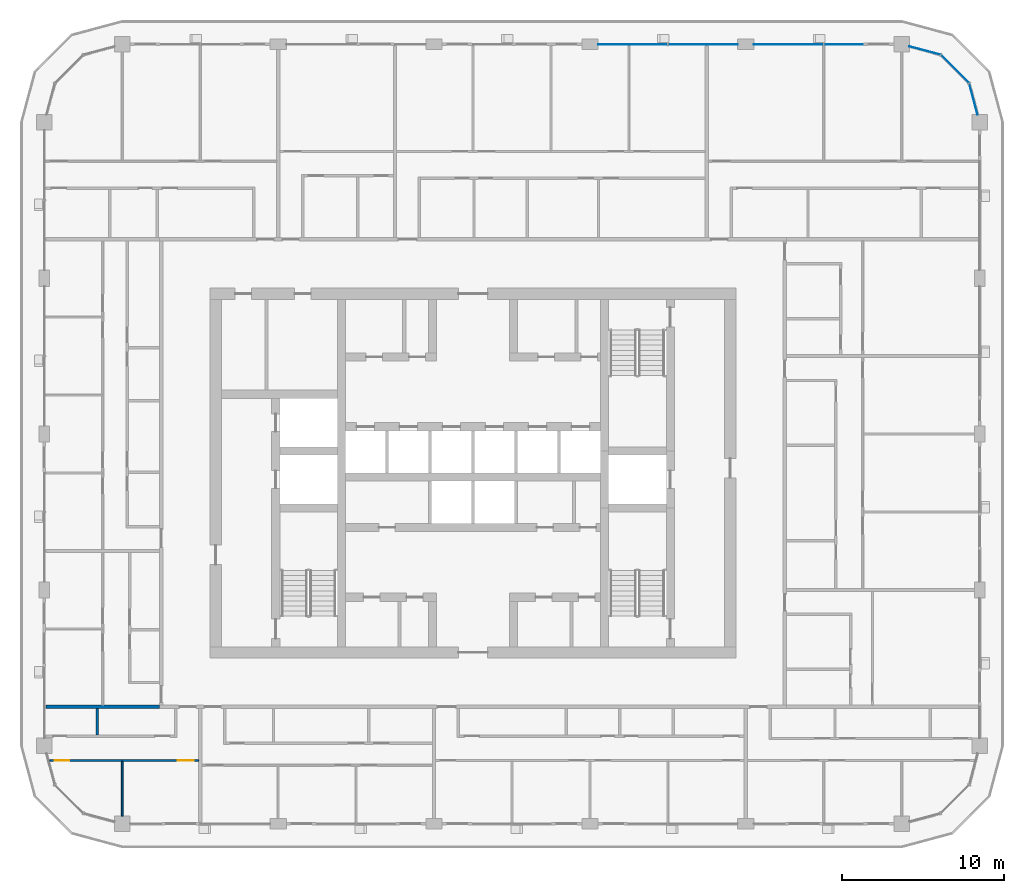
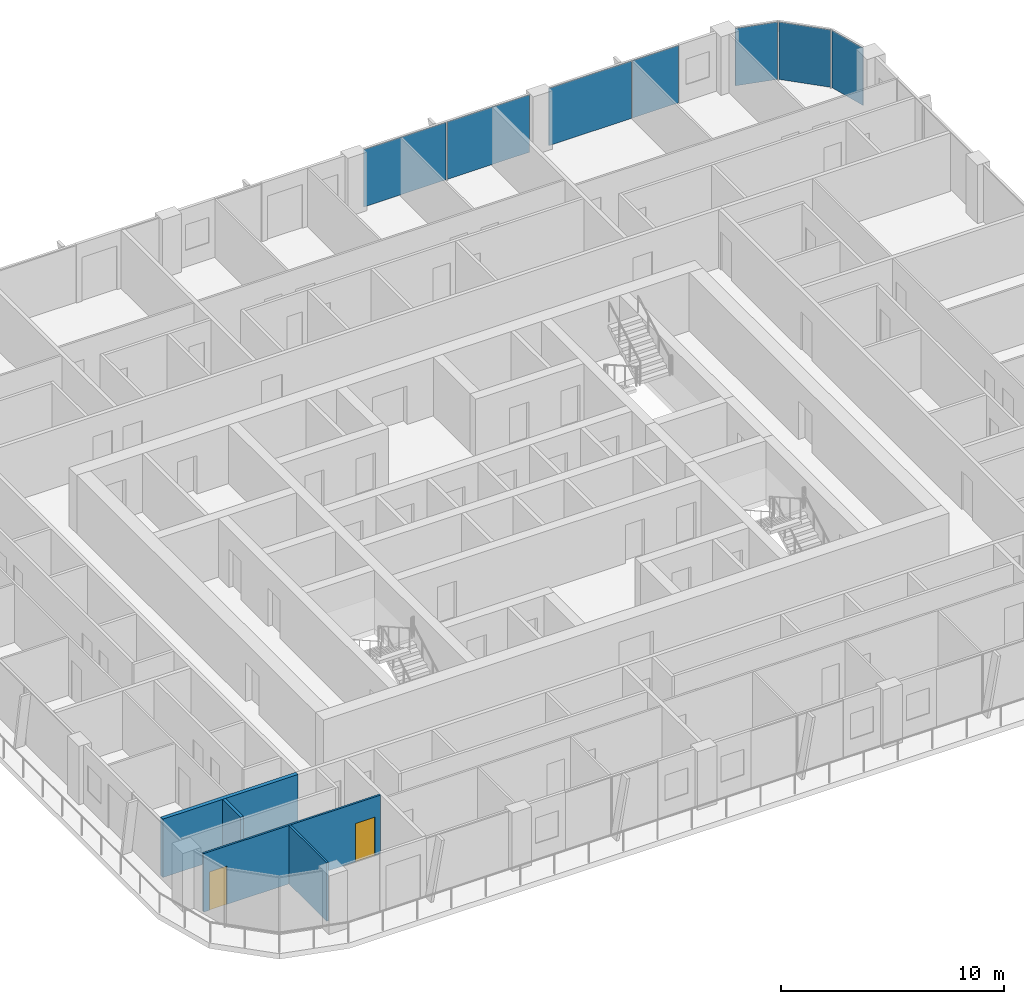
# One storey, part 8 of 23: 7 plates, 4 walls, 2 doors, 2 openings, 3 elements without a shape of their own.
"""IFC4 building model written with IfcOpenShell, lengths in metres."""

from ifc_helpers import new_model, si_unit, direction, frame, frame_2d, origin, origin_2d, place, context, subcontext, project, spatial, rectangle, extrude, material, layer, layer_set, type_object, element, fill, aggregate, save


model = new_model("IFC4")

# Units and contexts
model_context = context("Model", 3, precision=1e-05, world=origin(), true_north=direction((0.0, 1.0)))
body_context = subcontext(model_context, "Body", "Model", "MODEL_VIEW")
ifc_project = project(units=[si_unit("LENGTHUNIT", "METRE"), si_unit("AREAUNIT", "SQUARE_METRE"), si_unit("VOLUMEUNIT", "CUBIC_METRE"), si_unit("PLANEANGLEUNIT", "RADIAN"), si_unit("MASSUNIT", "GRAM", prefix="KILO")], contexts=[model_context])

# Site, building, storey
site_placement = place(None, origin())
site = spatial("IfcSite", under=ifc_project, at=site_placement, CompositionType="ELEMENT")
building_placement = place(site_placement, origin())
building = spatial("IfcBuilding", under=site, at=building_placement, Name="Madar Terraces", CompositionType="ELEMENT")
storey_placement = place(building_placement, frame((0.0, 0.0, 226.300048828125)))
storey = spatial("IfcBuildingStorey", under=building, at=storey_placement, Name="L59", CompositionType="ELEMENT", Elevation=226.300048828125)

# Curtain wall, plates
ifc_material_1 = material(Name="Glass, ceramic frit dark grey, with black aluminium frame", Category="aluminium")
ifc_layer_1 = layer(ifc_material_1, 0.199951171875)
ifc_layer_set_1 = layer_set([ifc_layer_1], Name="Facade curtain wall, fritted glass")
curtain_wall_type = type_object("IfcCurtainWallType", Name="Facade curtain wall, fritted glass", PredefinedType="NOTDEFINED", material=ifc_layer_set_1)
curtain_wall_1_placement = place(storey_placement, origin())
curtain_wall_1 = element("IfcCurtainWall", 1, at=curtain_wall_1_placement, inside=storey, type_object=curtain_wall_type, Name="Outer skin curtain wall north bay 1", PredefinedType="NOTDEFINED")
ifc_material_2 = material(Name="Glass, ceramic frit dark grey", Category="glass")
ifc_layer_2 = layer(ifc_material_2, 0.028076171875)
ifc_layer_set_2 = layer_set([ifc_layer_2], Name="Facade glass panel 28")
plate_type = type_object("IfcPlateType", Name="Facade glass panel 28", PredefinedType="CURTAIN_PANEL", material=ifc_layer_set_2)
plate_1_placement = place(storey_placement, frame((54.014892578125, 52.800048828125, 0.0), z_axis=(0.0, 0.0, 1.0), x_axis=(-1.0, 0.0, 0.0)))
plate_1 = element("IfcPlate", 2, at=plate_1_placement, type_object=plate_type, Name="Panel 1", PredefinedType="CURTAIN_PANEL", context=body_context, shape_type="SweptSolid", body=[
    extrude(rectangle(XDim=2.3701171875, YDim=0.028076171875, at=origin_2d()), origin(), (0.0, 0.0, 1.0), 3.139892578125),
])
plate_2_placement = place(storey_placement, frame((50.635009765625, 52.800048828125, 0.0), z_axis=(0.0, 0.0, 1.0), x_axis=(-1.0, 0.0, 0.0)))
plate_2 = element("IfcPlate", 3, at=plate_2_placement, type_object=plate_type, Name="Panel 2", PredefinedType="CURTAIN_PANEL", context=body_context, shape_type="SweptSolid", body=[
    extrude(rectangle(XDim=4.27001953125, YDim=0.028076171875, at=origin_2d()), origin(), (0.0, 0.0, 1.0), 3.139892578125),
])
aggregate(curtain_wall_1, [plate_1, plate_2])

curtain_wall_2_placement = place(storey_placement, origin())
curtain_wall_2 = element("IfcCurtainWall", 4, at=curtain_wall_2_placement, inside=storey, type_object=curtain_wall_type, Name="Outer skin curtain wall north bay 2", PredefinedType="NOTDEFINED")
plate_3_placement = place(storey_placement, frame((45.364990234375, 52.800048828125, 0.0), z_axis=(0.0, 0.0, 1.0), x_axis=(-1.0, 0.0, 0.0)))
plate_3 = element("IfcPlate", 5, at=plate_3_placement, type_object=plate_type, Name="Panel 1", PredefinedType="CURTAIN_PANEL", context=body_context, shape_type="SweptSolid", body=[
    extrude(rectangle(XDim=4.27001953125, YDim=0.028076171875, at=origin_2d()), origin(), (0.0, 0.0, 1.0), 3.139892578125),
])
plate_4_placement = place(storey_placement, frame((41.034912109375, 52.800048828125, 0.0), z_axis=(0.0, 0.0, 1.0), x_axis=(-1.0, 0.0, 0.0)))
plate_4 = element("IfcPlate", 6, at=plate_4_placement, type_object=plate_type, Name="Panel 2", PredefinedType="CURTAIN_PANEL", context=body_context, shape_type="SweptSolid", body=[
    extrude(rectangle(XDim=4.27001953125, YDim=0.028076171875, at=origin_2d()), origin(), (0.0, 0.0, 1.0), 3.139892578125),
])
aggregate(curtain_wall_2, [plate_3, plate_4])

curtain_wall_3_placement = place(storey_placement, origin())
curtain_wall_3 = element("IfcCurtainWall", 7, at=curtain_wall_3_placement, inside=storey, type_object=curtain_wall_type, Name="Outer skin curtain wall north-east corner", PredefinedType="NOTDEFINED")
plate_5_placement = place(storey_placement, frame((62.018798828125, 49.423095703125, 0.0), z_axis=(0.0, 0.0, 1.0), x_axis=(-0.258819021888, 0.965925832509, 0.0)))
plate_5 = element("IfcPlate", 8, at=plate_5_placement, type_object=plate_type, Name="Panel 1", PredefinedType="CURTAIN_PANEL", context=body_context, shape_type="SweptSolid", body=[
    extrude(rectangle(XDim=1.962890625, YDim=0.028076171875, at=origin_2d()), origin(), (0.0, 0.0, 1.0), 3.139892578125),
])
plate_6_placement = place(storey_placement, frame((60.87841796875, 51.278564453125, 0.0), z_axis=(0.0, 0.0, 1.0), x_axis=(-0.707106781187, 0.707106781187, 0.0)))
plate_6 = element("IfcPlate", 9, at=plate_6_placement, type_object=plate_type, Name="Panel 2", PredefinedType="CURTAIN_PANEL", context=body_context, shape_type="SweptSolid", body=[
    extrude(rectangle(XDim=2.424560546875, YDim=0.028076171875, at=origin_2d()), origin(), (0.0, 0.0, 1.0), 3.139892578125),
])
plate_7_placement = place(storey_placement, frame((59.02294921875, 52.418701171875, 0.0), z_axis=(0.0, 0.0, 1.0), x_axis=(-0.965925832509, 0.258819021888, 0.0)))
plate_7 = element("IfcPlate", 10, at=plate_7_placement, type_object=plate_type, Name="Panel 3", PredefinedType="CURTAIN_PANEL", context=body_context, shape_type="SweptSolid", body=[
    extrude(rectangle(XDim=1.962890625, YDim=0.028076171875, at=origin_2d()), origin(), (0.0, 0.0, 1.0), 3.139892578125),
])
aggregate(curtain_wall_3, [plate_5, plate_6, plate_7])

# Wall
ifc_material_3 = material(Name="Gypsum board on steel studs", Category="steel")
ifc_layer_3 = layer(ifc_material_3, 0.10009765625)
ifc_layer_set_3 = layer_set([ifc_layer_3], Name="Flat partition 100")
wall_type_1 = type_object("IfcWallType", Name="Flat partition 100", PredefinedType="PARTITIONING", material=ifc_layer_set_3)
wall_1_placement = place(storey_placement, frame((9.60009765625, 8.64990234375, 0.0), z_axis=(0.0, 0.0, 1.0), x_axis=(0.0, -1.0, 0.0)))
element("IfcWall", 11, at=wall_1_placement, inside=storey, type_object=wall_type_1, Name="Flat partition 100", PredefinedType="PARTITIONING", context=body_context, shape_type="SweptSolid", body=[
    extrude(rectangle(XDim=3.375, YDim=0.10009765625, at=frame_2d((1.6875, 0.0))), origin(), (0.0, 0.0, 1.0), 3.199951171875),
])

# Wall, openings, doors
wall_2_placement = place(storey_placement, frame((14.300048828125, 8.699951171875, 0.0), z_axis=(0.0, 0.0, 1.0), x_axis=(-1.0, 0.0, 0.0)))
wall_2 = element("IfcWall", 12, at=wall_2_placement, inside=storey, type_object=wall_type_1, Name="Flat partition 100", PredefinedType="PARTITIONING", context=body_context, shape_type="SweptSolid", body=[
    extrude(rectangle(XDim=9.158935546875, YDim=0.10009765625, at=frame_2d((4.57958984375, 0.0))), origin(), (0.0, 0.0, 1.0), 3.199951171875),
])
opening_1_placement = place(wall_2_placement, frame((0.300048828125, 0.0, 0.0)))
opening_1 = element("IfcOpeningElement", 13, at=opening_1_placement, cuts=wall_2, Name="Opening D3", PredefinedType="OPENING", context=body_context, shape_type="SweptSolid", body=[
    extrude(rectangle(XDim=1.0, YDim=2.10009765625, at=frame_2d((0.5, 1.050048828125))), frame((0.0, 0.06005859375, 0.0), z_axis=(0.0, -1.0, 0.0), x_axis=(1.0, 0.0, 0.0)), (0.0, 0.0, 1.0), 0.1201171875),
])
opening_2_placement = place(wall_2_placement, frame((7.958740234375, 0.0, 0.0)))
opening_2 = element("IfcOpeningElement", 14, at=opening_2_placement, cuts=wall_2, Name="Opening D2", PredefinedType="OPENING", context=body_context, shape_type="SweptSolid", body=[
    extrude(rectangle(XDim=0.89990234375, YDim=2.10009765625, at=frame_2d((0.449951171875, 1.050048828125))), frame((0.0, 0.06005859375, 0.0), z_axis=(0.0, -1.0, 0.0), x_axis=(1.0, 0.0, 0.0)), (0.0, 0.0, 1.0), 0.1201171875),
])
ifc_material_4 = material(Name="Timber door leaf", Category="wood")
door_type_1 = type_object("IfcDoorType", Name="Flat living room door 1000", OperationType="NOTDEFINED", PredefinedType="DOOR", material=ifc_material_4)
door_1_placement = place(opening_1_placement, origin())
door_1 = element("IfcDoor", 15, at=door_1_placement, inside=storey, type_object=door_type_1, Name="Flat living room door 1000", OperationType="SINGLE_SWING_LEFT", OverallHeight=2.10009765625, OverallWidth=1.0, PredefinedType="DOOR", context=body_context, shape_type="SweptSolid", body=[
    extrude(rectangle(XDim=1.0, YDim=2.10009765625, at=frame_2d((0.5, 1.050048828125))), frame((0.0, 0.02490234375, 0.0), z_axis=(0.0, -1.0, 0.0), x_axis=(1.0, 0.0, 0.0)), (0.0, 0.0, 1.0), 0.050048828125),
])
fill(opening_1, door_1)
ifc_material_5 = material(Name="Timber door leaf", Category="wood")
door_type_2 = type_object("IfcDoorType", Name="Flat room door 900", OperationType="NOTDEFINED", PredefinedType="DOOR", material=ifc_material_5)
door_2_placement = place(opening_2_placement, origin())
door_2 = element("IfcDoor", 16, at=door_2_placement, inside=storey, type_object=door_type_2, Name="Flat room door 900", OperationType="SINGLE_SWING_RIGHT", OverallHeight=2.10009765625, OverallWidth=0.89990234375, PredefinedType="DOOR", context=body_context, shape_type="SweptSolid", body=[
    extrude(rectangle(XDim=0.89990234375, YDim=2.10009765625, at=frame_2d((0.449951171875, 1.050048828125))), frame((0.0, 0.02490234375, 0.0), z_axis=(0.0, -1.0, 0.0), x_axis=(1.0, 0.0, 0.0)), (0.0, 0.0, 1.0), 0.050048828125),
])
fill(opening_2, door_2)

# Walls
ifc_material_6 = material(Name="Lightweight blockwork", Category="masonry")
ifc_layer_4 = layer(ifc_material_6, 0.199951171875)
ifc_layer_set_4 = layer_set([ifc_layer_4], Name="Flat party and entrance wall 200")
wall_type_2 = type_object("IfcWallType", Name="Flat party and entrance wall 200", PredefinedType="PARTITIONING", material=ifc_layer_set_4)
wall_3_placement = place(storey_placement, frame((4.89990234375, 12.0, 0.0), z_axis=(0.0, 0.0, 1.0), x_axis=(1.0, 0.0, 0.0)))
element("IfcWall", 17, at=wall_3_placement, inside=storey, type_object=wall_type_2, Name="Flat party and entrance wall 200", PredefinedType="PARTITIONING", context=body_context, shape_type="SweptSolid", body=[
    extrude(rectangle(XDim=7.0, YDim=0.199951171875, at=frame_2d((3.5, 0.0))), origin(), (0.0, 0.0, 1.0), 3.199951171875),
])
ifc_material_7 = material(Name="Lightweight blockwork", Category="masonry")
ifc_layer_5 = layer(ifc_material_7, 0.14990234375)
ifc_layer_set_5 = layer_set([ifc_layer_5], Name="Flat wet-room partition 150")
wall_type_3 = type_object("IfcWallType", Name="Flat wet-room partition 150", PredefinedType="PARTITIONING", material=ifc_layer_set_5)
wall_4_placement = place(storey_placement, frame((8.070068359375, 11.89990234375, 0.0), z_axis=(0.0, 0.0, 1.0), x_axis=(0.0, -1.0, 0.0)))
element("IfcWall", 18, at=wall_4_placement, inside=storey, type_object=wall_type_3, Name="Flat wet-room partition 150", PredefinedType="PARTITIONING", context=body_context, shape_type="SweptSolid", body=[
    extrude(rectangle(XDim=1.625, YDim=0.14990234375, at=frame_2d((0.8125, 0.0))), origin(), (0.0, 0.0, 1.0), 3.199951171875),
])

save(model, "model.ifc")
